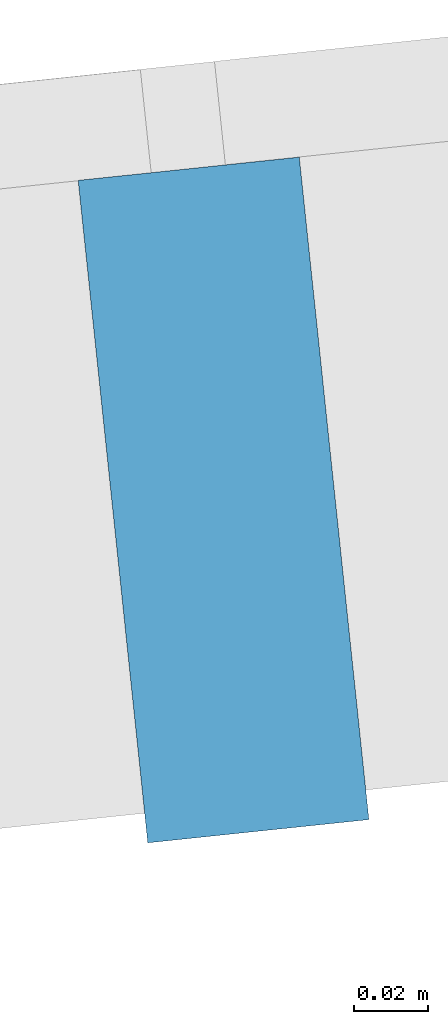
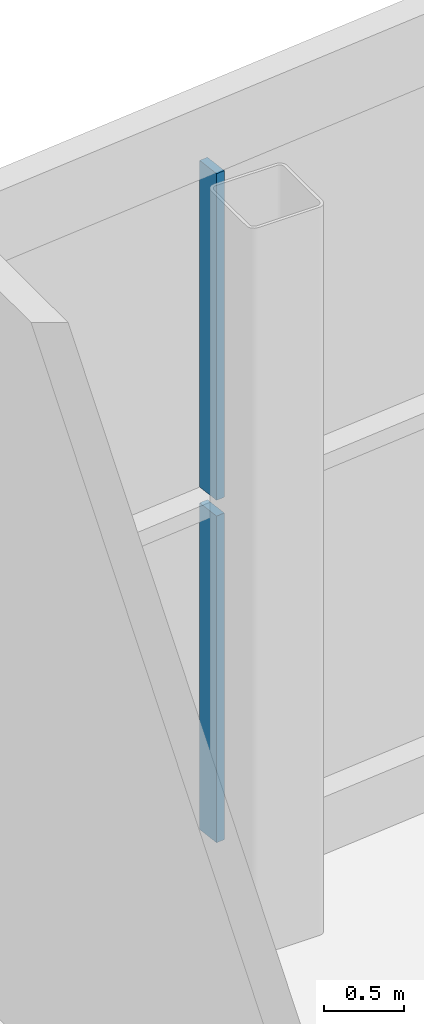
# One storey, part 9 of 35: 2 members, 1 element without a shape of its own.
"""IFC4 building model written with IfcOpenShell, lengths in metres."""

from ifc_helpers import new_model, si_unit, direction, frame, origin, origin_2d, place, context, subcontext, project, spatial, rectangle, extrude, material, layer, layer_set, material_profile, profile_set, type_object, element, aggregate, save


model = new_model("IFC4")

# Units and contexts
model_context = context("Model", 3, precision=1e-05, world=origin(), true_north=direction((0.0, 1.0)))
body_context = subcontext(model_context, "Body", "Model", "MODEL_VIEW")
ifc_project = project(units=[si_unit("LENGTHUNIT", "METRE"), si_unit("AREAUNIT", "SQUARE_METRE"), si_unit("VOLUMEUNIT", "CUBIC_METRE"), si_unit("PLANEANGLEUNIT", "RADIAN"), si_unit("MASSUNIT", "GRAM", prefix="KILO")], contexts=[model_context])

# Site, building, storey
site_placement = place(None, origin())
site = spatial("IfcSite", under=ifc_project, at=site_placement, CompositionType="ELEMENT")
building_placement = place(site_placement, origin())
building = spatial("IfcBuilding", under=site, at=building_placement, Name="Hakoniwa Tower and Hamabe Station Hall", CompositionType="ELEMENT")
storey_placement = place(building_placement, frame((0.0, 0.0, 270.60009765625)))
storey = spatial("IfcBuildingStorey", under=building, at=storey_placement, Name="L76", CompositionType="ELEMENT", Elevation=270.60009765625)

# Curtain wall, members
ifc_material_1 = material(Name="Dark low-e laminated glass", Category="glass")
ifc_layer = layer(ifc_material_1, 0.199951171875)
ifc_layer_set = layer_set([ifc_layer], Name="CW-1 UNITISED GUEST")
curtain_wall_type = type_object("IfcCurtainWallType", Name="CW-1 UNITISED GUEST", PredefinedType="NOTDEFINED", material=ifc_layer_set)
curtain_wall_placement = place(storey_placement, origin())
curtain_wall = element("IfcCurtainWall", 1, at=curtain_wall_placement, inside=storey, type_object=curtain_wall_type, Name="CW-1 curtain wall", PredefinedType="NOTDEFINED")
ifc_material_2 = material(Name="Aluminium 6063-T5 black anodised", Category="aluminium")
ifc_material_profile = material_profile(ifc_material_2, rectangle(XDim=0.06005859375, YDim=0.179931640625, at=origin_2d()), Name="CW-1 MULLION 60X180")
ifc_profile_set = profile_set([ifc_material_profile], Name="Aluminium 6063-T5 black anodised")
member_type = type_object("IfcMemberType", Name="CW-1 MULLION 60X180", PredefinedType="MULLION", material=ifc_profile_set)
member_1_placement = place(storey_placement, frame((-1.7958984375, 19.587890625, 0.349853515625), z_axis=(0.0, 0.0, 1.0), x_axis=(-0.994521895272, -0.104528464188, 0.0)))
member_1 = element("IfcMember", 2, at=member_1_placement, type_object=member_type, Name="CW-1 mullion", PredefinedType="MULLION", context=body_context, shape_type="SweptSolid", body=[
    extrude(rectangle(XDim=0.06005859375, YDim=0.179931640625, at=origin_2d()), origin(), (0.0, 0.0, 1.0), 2.489990234375),
])
member_2_placement = place(storey_placement, frame((-1.7958984375, 19.587890625, 2.9599609375), z_axis=(0.0, 0.0, 1.0), x_axis=(-0.994521895272, -0.104528464188, 0.0)))
member_2 = element("IfcMember", 3, at=member_2_placement, type_object=member_type, Name="CW-1 mullion", PredefinedType="MULLION", context=body_context, shape_type="SweptSolid", body=[
    extrude(rectangle(XDim=0.06005859375, YDim=0.179931640625, at=origin_2d()), origin(), (0.0, 0.0, 1.0), 2.489990234375),
])
aggregate(curtain_wall, [member_1, member_2])

save(model, "model.ifc")
